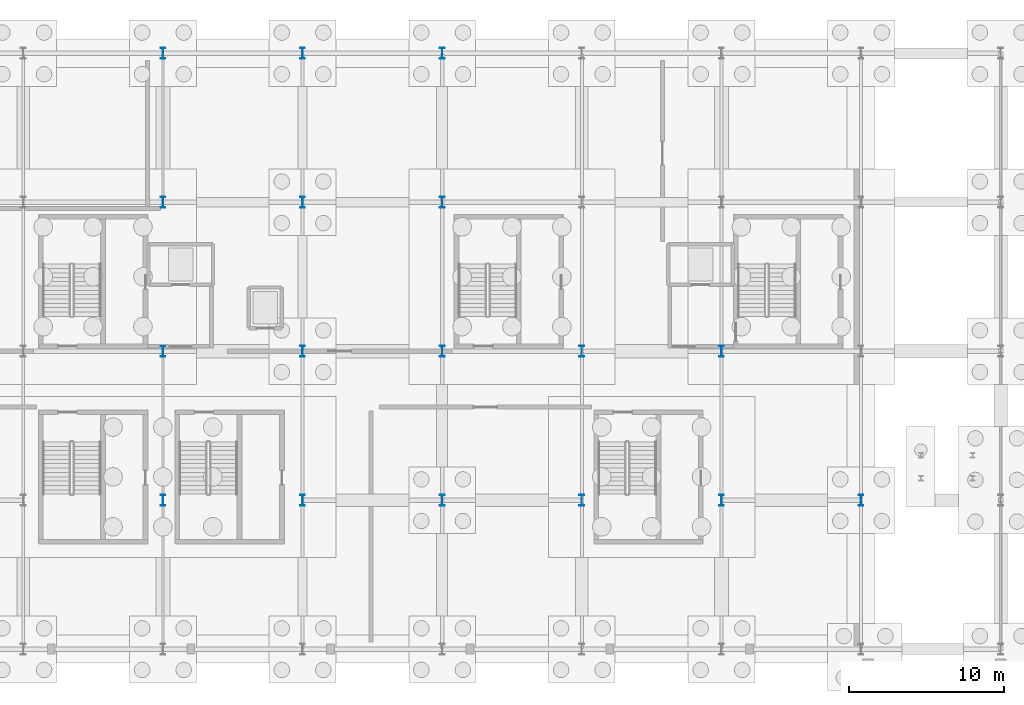
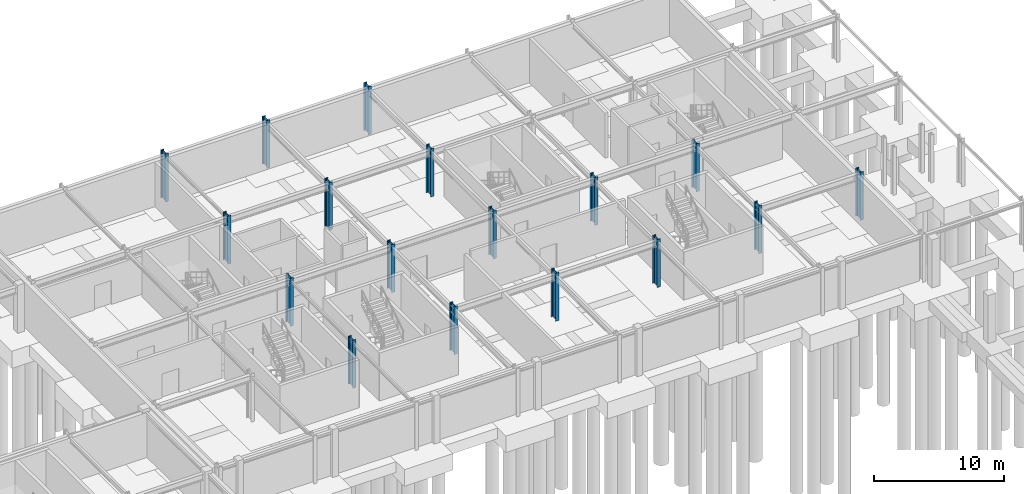
# One storey, part 28 of 59: 17 columns.
"""IFC4 building model written with IfcOpenShell, lengths in metres."""

from ifc_helpers import new_model, si_unit, direction, frame, origin, origin_2d, place, context, subcontext, project, spatial, i_section, extrude, material, material_profile, profile_set, type_object, element, save


model = new_model("IFC4")

# Units and contexts
model_context = context("Model", 3, precision=1e-05, world=origin(), true_north=direction((0.0, 1.0)))
body_context = subcontext(model_context, "Body", "Model", "MODEL_VIEW")
ifc_project = project(units=[si_unit("LENGTHUNIT", "METRE"), si_unit("AREAUNIT", "SQUARE_METRE"), si_unit("VOLUMEUNIT", "CUBIC_METRE"), si_unit("PLANEANGLEUNIT", "RADIAN"), si_unit("MASSUNIT", "GRAM", prefix="KILO")], contexts=[model_context])

# Site, building, storey
site_placement = place(None, origin())
site = spatial("IfcSite", under=ifc_project, at=site_placement, CompositionType="ELEMENT")
building_placement = place(site_placement, origin())
building = spatial("IfcBuilding", under=site, at=building_placement, Name="Myrtia Square Station", CompositionType="ELEMENT")
storey_placement = place(building_placement, frame((0.0, 0.0, -4.5)))
storey = spatial("IfcBuildingStorey", under=building, at=storey_placement, Name="B01", CompositionType="ELEMENT", Elevation=-4.5)

# Columns
ifc_material = material(Name="Steel S355", Category="steel")
ifc_material_profile = material_profile(ifc_material, i_section(OverallWidth=0.300048828125, OverallDepth=0.699951171875, WebThickness=0.01708984375, FlangeThickness=0.031982421875, FilletRadius=0.027099609375, at=origin_2d()), Name="HEB 700")
ifc_profile_set = profile_set([ifc_material_profile], Name="Steel S355")
column_type = type_object("IfcColumnType", Name="COL-HEB700", PredefinedType="COLUMN", material=ifc_profile_set)
for number, where, z_axis, x_axis, name in (
    (1, (135.0, 96.0, 0.0), (0.0, 0.0, 1.0), (1.0, 0.0, 0.0), "Column B01-0815"),
    (2, (135.0, 105.60009765625, 0.0), (0.0, 0.0, 1.0), (1.0, 0.0, 0.0), "Column B01-0821"),
    (3, (135.0, 115.199951171875, 0.0), (0.0, 0.0, 1.0), (1.0, 0.0, 0.0), "Column B01-0827"),
    (4, (135.0, 124.800048828125, 0.0), (0.0, 0.0, 1.0), (1.0, 0.0, 0.0), "Column B01-0833"),
    (5, (144.0, 96.0, 0.0), (0.0, 0.0, 1.0), (1.0, 0.0, 0.0), "Column B01-0845"),
    (6, (144.0, 105.60009765625, 0.0), (0.0, 0.0, 1.0), (1.0, 0.0, 0.0), "Column B01-0851"),
    (7, (144.0, 115.199951171875, 0.0), (0.0, 0.0, 1.0), (1.0, 0.0, 0.0), "Column B01-0857"),
    (8, (144.0, 124.800048828125, 0.0), (0.0, 0.0, 1.0), (1.0, 0.0, 0.0), "Column B01-0863"),
    (9, (153.0, 96.0, 0.0), (0.0, 0.0, 1.0), (1.0, 0.0, 0.0), "Column B01-0874"),
    (10, (153.0, 105.60009765625, 0.0), (0.0, 0.0, 1.0), (1.0, 0.0, 0.0), "Column B01-0880"),
    (11, (153.0, 115.199951171875, 0.0), (0.0, 0.0, 1.0), (1.0, 0.0, 0.0), "Column B01-0886"),
    (12, (153.0, 124.800048828125, 0.0), (0.0, 0.0, 1.0), (1.0, 0.0, 0.0), "Column B01-0892"),
    (13, (162.0, 96.0, 0.0), (0.0, 0.0, 1.0), (1.0, 0.0, 0.0), "Column B01-0904"),
    (14, (162.0, 105.60009765625, 0.0), (0.0, 0.0, 1.0), (1.0, 0.0, 0.0), "Column B01-0910"),
    (15, (171.0, 96.0, 0.0), (0.0, 0.0, 1.0), (1.0, 0.0, 0.0), "Column B01-0934"),
    (16, (171.0, 105.60009765625, 0.0), (0.0, 0.0, 1.0), (1.0, 0.0, 0.0), "Column B01-0940"),
    (17, (180.0, 96.0, 0.0), (0.0, 0.0, 1.0), (1.0, 0.0, 0.0), "Column B01-0964"),
):
    element("IfcColumn", number, at=place(storey_placement, frame(where, z_axis=z_axis, x_axis=x_axis)), inside=storey, type_object=column_type, Name=name, PredefinedType="COLUMN", context=body_context, shape_type="SweptSolid", body=[
        extrude(i_section(OverallWidth=0.300048828125, OverallDepth=0.699951171875, WebThickness=0.01708984375, FlangeThickness=0.031982421875, FilletRadius=0.027099609375, at=origin_2d()), origin(), (0.0, 0.0, 1.0), 4.5),
    ])

save(model, "model.ifc")
